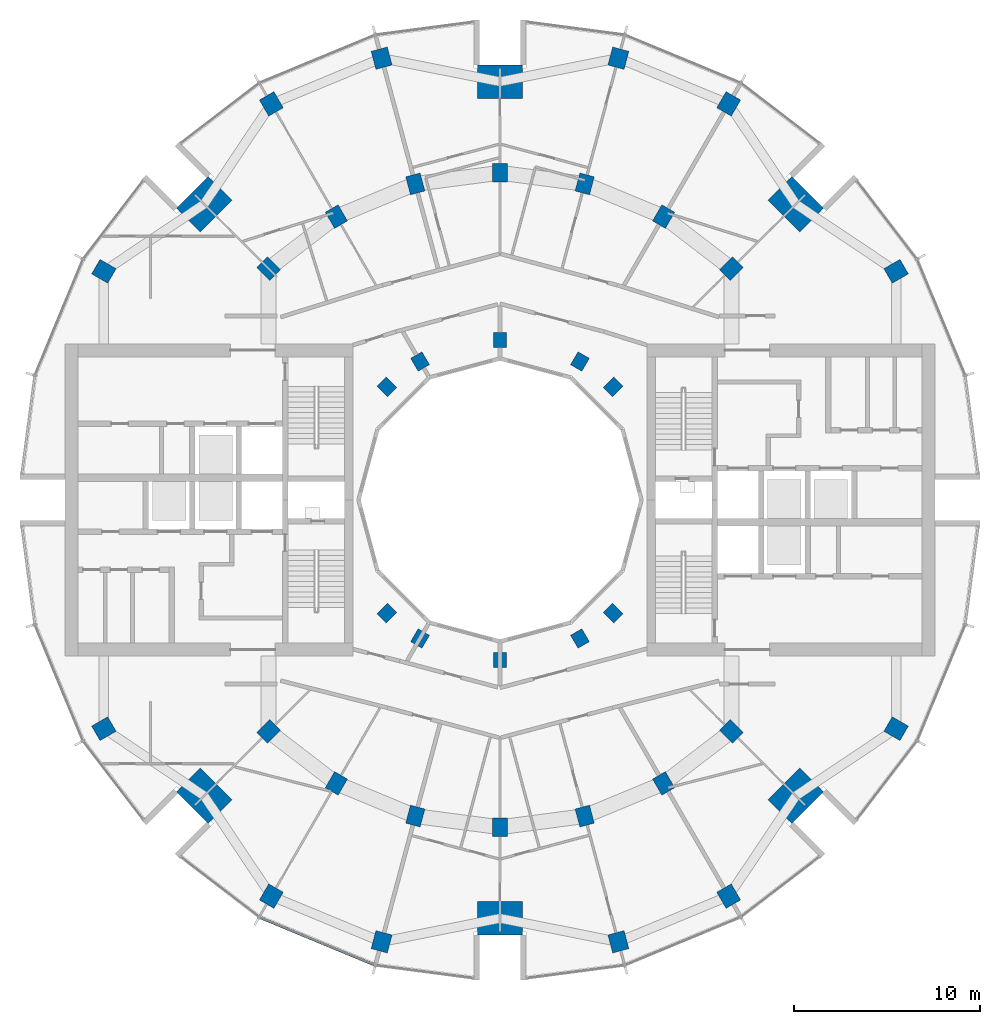
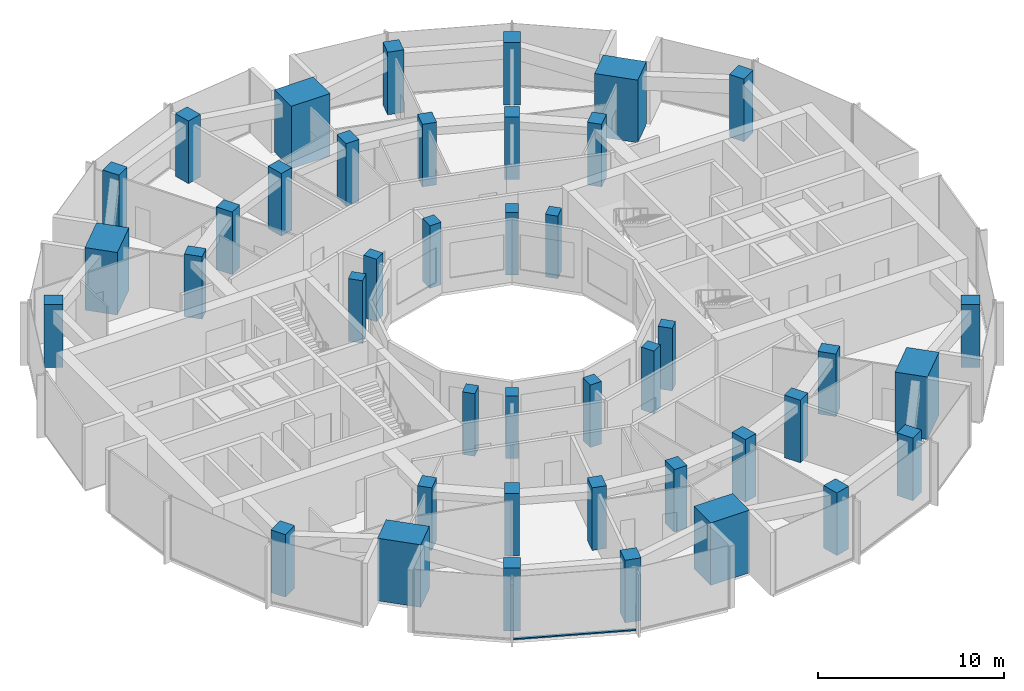
# One storey, part 1 of 15: 42 columns, 1 member, 1 element without a shape of its own.
"""IFC4 building model written with IfcOpenShell, lengths in metres."""

from ifc_helpers import new_model, si_unit, direction, frame, origin, origin_2d, place, context, subcontext, project, spatial, rectangle, extrude, material, layer, layer_set, material_profile, profile_set, type_object, element, aggregate, save


model = new_model("IFC4")

# Units and contexts
model_context = context("Model", 3, precision=1e-05, world=origin(), true_north=direction((0.0, 1.0)))
body_context = subcontext(model_context, "Body", "Model", "MODEL_VIEW")
ifc_project = project(units=[si_unit("LENGTHUNIT", "METRE"), si_unit("AREAUNIT", "SQUARE_METRE"), si_unit("VOLUMEUNIT", "CUBIC_METRE"), si_unit("PLANEANGLEUNIT", "RADIAN"), si_unit("MASSUNIT", "GRAM", prefix="KILO")], contexts=[model_context])

# Site, building, storey
site_placement = place(None, origin())
site = spatial("IfcSite", under=ifc_project, at=site_placement, CompositionType="ELEMENT")
building_placement = place(site_placement, origin())
building = spatial("IfcBuilding", under=site, at=building_placement, Name="Torre Brocal", CompositionType="ELEMENT")
storey_placement = place(building_placement, frame((0.0, 0.0, 202.800048828125)))
storey = spatial("IfcBuildingStorey", under=building, at=storey_placement, Name="L47", CompositionType="ELEMENT", Elevation=202.800048828125)

# Columns
ifc_material_1 = material(Name="Concrete C70", Category="concrete")
ifc_material_profile_1 = material_profile(ifc_material_1, rectangle(XDim=1.0, YDim=0.800048828125, at=origin_2d()), Name="RC 1000X800")
ifc_profile_set_1 = profile_set([ifc_material_profile_1], Name="Concrete C70")
column_type_1 = type_object("IfcColumnType", Name="RC COLUMN 1000X800 C70", PredefinedType="COLUMN", material=ifc_profile_set_1)
for number, where, z_axis, x_axis, name in (
    (1, (92.445068359375, 87.445068359375, 0.0), (0.0, 0.0, 1.0), (0.707106781187, 0.707106781187, 0.0), "Column C-M03"),
    (2, (88.800048828125, 90.241943359375, 0.0), (0.0, 0.0, 1.0), (0.5, 0.866025403784, 0.0), "Column C-M04"),
    (3, (84.55517578125, 92.000244140625, 0.0), (0.0, 0.0, 1.0), (0.258819045103, 0.965925826289, 0.0), "Column C-M05"),
    (4, (80.0, 92.60009765625, 0.0), (0.0, 0.0, 1.0), (0.0, 1.0, 0.0), "Column C-M06"),
    (5, (75.44482421875, 92.000244140625, 0.0), (0.0, 0.0, 1.0), (-0.258819045103, 0.965925826289, 0.0), "Column C-M07"),
    (6, (71.199951171875, 90.241943359375, 0.0), (0.0, 0.0, 1.0), (-0.5, 0.866025403784, 0.0), "Column C-M08"),
    (7, (67.554931640625, 87.445068359375, 0.0), (0.0, 0.0, 1.0), (-0.707106781187, 0.707106781187, 0.0), "Column C-M09"),
    (8, (67.554931640625, 62.554931640625, 0.0), (0.0, 0.0, 1.0), (-0.707106781187, -0.707106781187, 0.0), "Column C-M15"),
    (9, (71.199951171875, 59.758056640625, 0.0), (0.0, 0.0, 1.0), (-0.5, -0.866025403784, 0.0), "Column C-M16"),
    (10, (75.44482421875, 57.999755859375, 0.0), (0.0, 0.0, 1.0), (-0.258819045103, -0.965925826289, 0.0), "Column C-M17"),
    (11, (80.0, 57.39990234375, 0.0), (0.0, 0.0, 1.0), (0.0, -1.0, 0.0), "Column C-M18"),
    (12, (84.55517578125, 57.999755859375, 0.0), (0.0, 0.0, 1.0), (0.258819045103, -0.965925826289, 0.0), "Column C-M19"),
    (13, (88.800048828125, 59.758056640625, 0.0), (0.0, 0.0, 1.0), (0.5, -0.866025403784, 0.0), "Column C-M20"),
    (14, (92.445068359375, 62.554931640625, 0.0), (0.0, 0.0, 1.0), (0.707106781187, -0.707106781187, 0.0), "Column C-M21"),
):
    element("IfcColumn", number, at=place(storey_placement, frame(where, z_axis=z_axis, x_axis=x_axis)), inside=storey, type_object=column_type_1, Name=name, PredefinedType="COLUMN", context=body_context, shape_type="SweptSolid", body=[
        extrude(rectangle(XDim=1.0, YDim=0.800048828125, at=origin_2d()), origin(), (0.0, 0.0, 1.0), 4.099853515625),
    ])
ifc_material_2 = material(Name="Concrete C70", Category="concrete")
ifc_material_profile_2 = material_profile(ifc_material_2, rectangle(XDim=1.0, YDim=0.89990234375, at=origin_2d()), Name="RC 1000X900")
ifc_profile_set_2 = profile_set([ifc_material_profile_2], Name="Concrete C70")
column_type_2 = type_object("IfcColumnType", Name="RC COLUMN 1000X900 C70", PredefinedType="COLUMN", material=ifc_profile_set_2)
for number, where, z_axis, x_axis, name in (
    (15, (101.30419921875, 87.300048828125, 0.0), (0.0, 0.0, 1.0), (0.866025403784, 0.5, 0.0), "Column C-O02"),
    (16, (92.300048828125, 96.30419921875, 0.0), (0.0, 0.0, 1.0), (0.5, 0.866025403784, 0.0), "Column C-O04"),
    (17, (86.366943359375, 98.76171875, 0.0), (0.0, 0.0, 1.0), (0.258819045103, 0.965925826289, 0.0), "Column C-O05"),
    (18, (73.633056640625, 98.76171875, 0.0), (0.0, 0.0, 1.0), (-0.258819045103, 0.965925826289, 0.0), "Column C-O07"),
    (19, (67.699951171875, 96.30419921875, 0.0), (0.0, 0.0, 1.0), (-0.5, 0.866025403784, 0.0), "Column C-O08"),
    (20, (58.69580078125, 87.300048828125, 0.0), (0.0, 0.0, 1.0), (-0.866025403784, 0.5, 0.0), "Column C-O10"),
    (21, (58.69580078125, 62.699951171875, 0.0), (0.0, 0.0, 1.0), (-0.866025403784, -0.5, 0.0), "Column C-O14"),
    (22, (67.699951171875, 53.69580078125, 0.0), (0.0, 0.0, 1.0), (-0.5, -0.866025403784, 0.0), "Column C-O16"),
    (23, (73.633056640625, 51.23828125, 0.0), (0.0, 0.0, 1.0), (-0.258819045103, -0.965925826289, 0.0), "Column C-O17"),
    (24, (86.366943359375, 51.23828125, 0.0), (0.0, 0.0, 1.0), (0.258819045103, -0.965925826289, 0.0), "Column C-O19"),
    (25, (92.300048828125, 53.69580078125, 0.0), (0.0, 0.0, 1.0), (0.5, -0.866025403784, 0.0), "Column C-O20"),
    (26, (101.30419921875, 62.699951171875, 0.0), (0.0, 0.0, 1.0), (0.866025403784, -0.5, 0.0), "Column C-O22"),
):
    element("IfcColumn", number, at=place(storey_placement, frame(where, z_axis=z_axis, x_axis=x_axis)), inside=storey, type_object=column_type_2, Name=name, PredefinedType="COLUMN", context=body_context, shape_type="SweptSolid", body=[
        extrude(rectangle(XDim=1.0, YDim=0.89990234375, at=origin_2d()), origin(), (0.0, 0.0, 1.0), 4.099853515625),
    ])
ifc_material_3 = material(Name="Concrete C70", Category="concrete")
ifc_material_profile_3 = material_profile(ifc_material_3, rectangle(XDim=1.800048828125, YDim=2.39990234375, at=origin_2d()), Name="RC 1800X2400")
ifc_profile_set_3 = profile_set([ifc_material_profile_3], Name="Concrete C70")
column_type_3 = type_object("IfcColumnType", Name="RC COLUMN 1800X2400 C70", PredefinedType="COLUMN", material=ifc_profile_set_3)
for number, where, z_axis, x_axis, name in (
    (27, (95.909912109375, 90.909912109375, 0.0), (0.0, 0.0, 1.0), (0.707106781187, 0.707106781187, 0.0), "Column MC-1"),
    (28, (80.0, 97.5, 0.0), (0.0, 0.0, 1.0), (0.0, 1.0, 0.0), "Column MC-2"),
    (29, (64.090087890625, 90.909912109375, 0.0), (0.0, 0.0, 1.0), (-0.707106781187, 0.707106781187, 0.0), "Column MC-3"),
    (30, (64.090087890625, 59.090087890625, 0.0), (0.0, 0.0, 1.0), (-0.707106781187, -0.707106781187, 0.0), "Column MC-5"),
    (31, (80.0, 52.5, 0.0), (0.0, 0.0, 1.0), (0.0, -1.0, 0.0), "Column MC-6"),
    (32, (95.909912109375, 59.090087890625, 0.0), (0.0, 0.0, 1.0), (0.707106781187, -0.707106781187, 0.0), "Column MC-7"),
):
    element("IfcColumn", number, at=place(storey_placement, frame(where, z_axis=z_axis, x_axis=x_axis)), inside=storey, type_object=column_type_3, Name=name, PredefinedType="COLUMN", context=body_context, shape_type="SweptSolid", body=[
        extrude(rectangle(XDim=1.800048828125, YDim=2.39990234375, at=origin_2d()), origin(), (0.0, 0.0, 1.0), 4.099853515625),
    ])
ifc_material_4 = material(Name="Concrete C70", Category="concrete")
ifc_material_profile_4 = material_profile(ifc_material_4, rectangle(XDim=0.800048828125, YDim=0.699951171875, at=origin_2d()), Name="RC 800X700")
ifc_profile_set_4 = profile_set([ifc_material_profile_4], Name="Concrete C70")
column_type_4 = type_object("IfcColumnType", Name="RC COLUMN 800X700 C70", PredefinedType="COLUMN", material=ifc_profile_set_4)
for number, where, z_axis, x_axis, name in (
    (33, (86.0810546875, 81.0810546875, 0.0), (0.0, 0.0, 1.0), (0.707106781187, 0.707106781187, 0.0), "Column C-I03"),
    (34, (84.300048828125, 82.44775390625, 0.0), (0.0, 0.0, 1.0), (0.5, 0.866025403784, 0.0), "Column C-I04"),
    (35, (80.0, 83.60009765625, 0.0), (0.0, 0.0, 1.0), (0.0, 1.0, 0.0), "Column C-I06"),
    (36, (75.699951171875, 82.44775390625, 0.0), (0.0, 0.0, 1.0), (-0.5, 0.866025403784, 0.0), "Column C-I08"),
    (37, (73.9189453125, 81.0810546875, 0.0), (0.0, 0.0, 1.0), (-0.707106781187, 0.707106781187, 0.0), "Column C-I09"),
    (38, (73.9189453125, 68.9189453125, 0.0), (0.0, 0.0, 1.0), (-0.707106781187, -0.707106781187, 0.0), "Column C-I15"),
    (39, (75.699951171875, 67.55224609375, 0.0), (0.0, 0.0, 1.0), (-0.5, -0.866025403784, 0.0), "Column C-I16"),
    (40, (80.0, 66.39990234375, 0.0), (0.0, 0.0, 1.0), (0.0, -1.0, 0.0), "Column C-I18"),
    (41, (84.300048828125, 67.55224609375, 0.0), (0.0, 0.0, 1.0), (0.5, -0.866025403784, 0.0), "Column C-I20"),
    (42, (86.0810546875, 68.9189453125, 0.0), (0.0, 0.0, 1.0), (0.707106781187, -0.707106781187, 0.0), "Column C-I21"),
):
    element("IfcColumn", number, at=place(storey_placement, frame(where, z_axis=z_axis, x_axis=x_axis)), inside=storey, type_object=column_type_4, Name=name, PredefinedType="COLUMN", context=body_context, shape_type="SweptSolid", body=[
        extrude(rectangle(XDim=0.800048828125, YDim=0.699951171875, at=origin_2d()), origin(), (0.0, 0.0, 1.0), 4.099853515625),
    ])

# Curtain wall, member
ifc_material_5 = material(Name="Aluminium and glass", Category="aluminium")
ifc_layer = layer(ifc_material_5, 0.199951171875)
ifc_layer_set = layer_set([ifc_layer], Name="Aluminium and glass")
curtain_wall_type = type_object("IfcCurtainWallType", Name="CW-1 CURTAIN WALL 4100 HIGH", PredefinedType="NOTDEFINED", material=ifc_layer_set)
curtain_wall_placement = place(storey_placement, origin())
curtain_wall = element("IfcCurtainWall", 43, at=curtain_wall_placement, inside=storey, type_object=curtain_wall_type, Name="CW-1 RUN 17", PredefinedType="NOTDEFINED")
ifc_material_6 = material(Name="Aluminium, dark anodised", Category="aluminium")
ifc_material_profile_5 = material_profile(ifc_material_6, rectangle(XDim=0.159912109375, YDim=0.080078125, at=origin_2d()), Name="CW-1 TRANSOM 160X80")
ifc_profile_set_5 = profile_set([ifc_material_profile_5], Name="Aluminium, dark anodised")
member_type = type_object("IfcMemberType", Name="CW-1 TRANSOM 160X80", PredefinedType="USERDEFINED", material=ifc_profile_set_5)
member_placement = place(storey_placement, frame((67.10595703125, 52.547607421875, 0.0400390625), z_axis=(0.923887344364, -0.38266457234, 0.0), x_axis=(0.38266457234, 0.923887344364, 0.0)))
member = element("IfcMember", 44, at=member_placement, type_object=member_type, Name="CW1-4 transom 1.1", ObjectType="TRANSOM", PredefinedType="USERDEFINED", context=body_context, shape_type="SweptSolid", body=[
    extrude(rectangle(XDim=0.159912109375, YDim=0.080078125, at=origin_2d()), origin(), (0.0, 0.0, 1.0), 6.640869140625),
])
aggregate(curtain_wall, [member])

save(model, "model.ifc")
